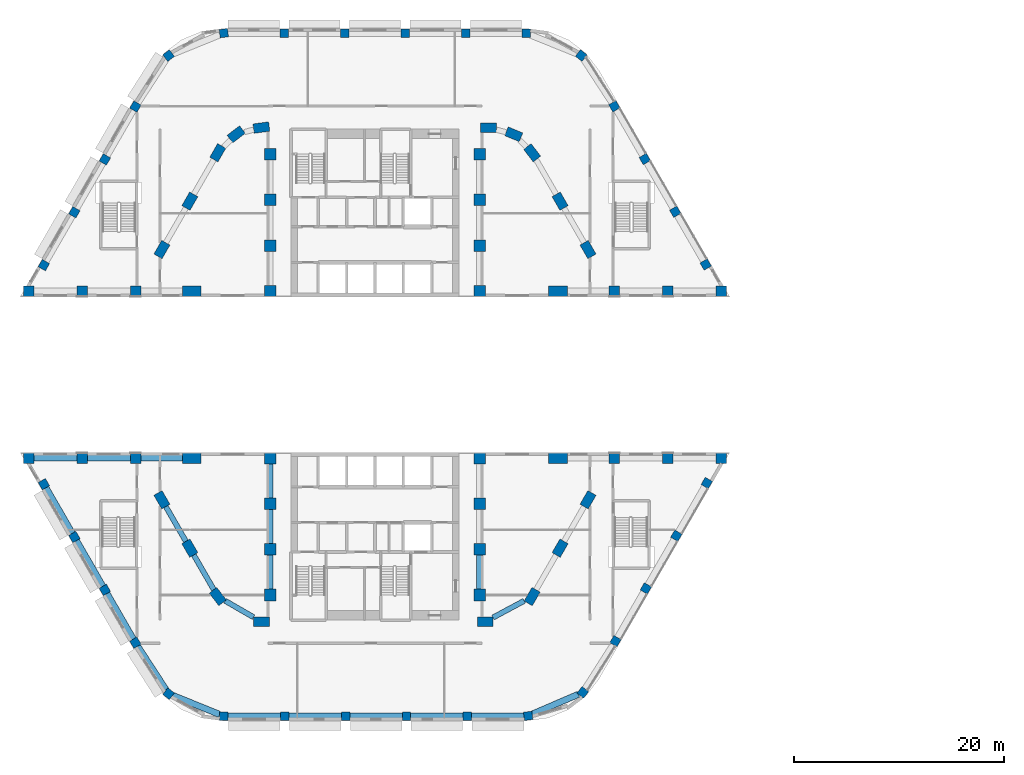
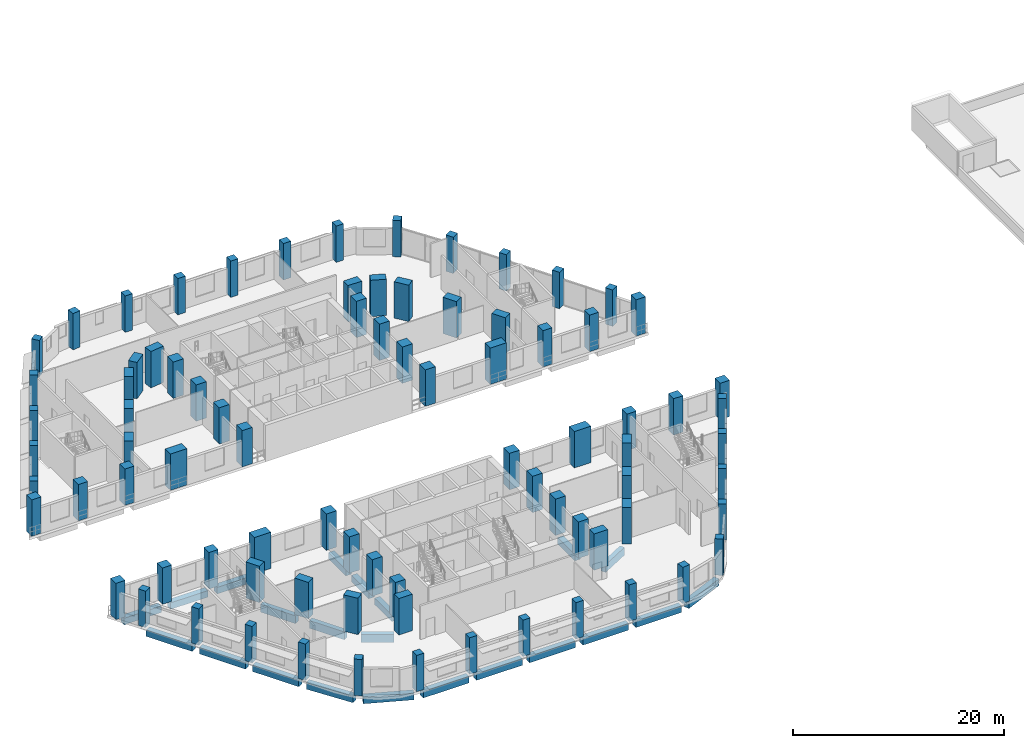
# One storey, part 1 of 33: 82 columns, 22 beams.
"""IFC4 building model written with IfcOpenShell, lengths in metres."""

from ifc_helpers import new_model, si_unit, direction, frame, origin, origin_2d, place, context, subcontext, project, spatial, rectangle, extrude, material, material_profile, profile_set, type_object, element, save


model = new_model("IFC4")

# Units and contexts
model_context = context("Model", 3, precision=1e-05, world=origin(), true_north=direction((0.0, 1.0)))
body_context = subcontext(model_context, "Body", "Model", "MODEL_VIEW")
ifc_project = project(units=[si_unit("LENGTHUNIT", "METRE"), si_unit("AREAUNIT", "SQUARE_METRE"), si_unit("VOLUMEUNIT", "CUBIC_METRE"), si_unit("PLANEANGLEUNIT", "RADIAN"), si_unit("MASSUNIT", "GRAM", prefix="KILO")], contexts=[model_context])

# Site, building, storey
site_placement = place(None, origin())
site = spatial("IfcSite", under=ifc_project, at=site_placement, CompositionType="ELEMENT")
building_placement = place(site_placement, origin())
building = spatial("IfcBuilding", under=site, at=building_placement, Name="Nakaniwa Court", CompositionType="ELEMENT")
storey_placement = place(building_placement, frame((0.0, 0.0, 19.800048828125)))
storey = spatial("IfcBuildingStorey", under=building, at=storey_placement, Name="L04", CompositionType="ELEMENT", Elevation=19.800048828125)

# Columns
ifc_material = material(Name="Concrete C100/115", Category="concrete")
ifc_material_profile_1 = material_profile(ifc_material, rectangle(XDim=1.0, YDim=1.0, at=origin_2d()), Name="Concrete C100/115 RC 1000x1000 portal edge column")
ifc_profile_set_1 = profile_set([ifc_material_profile_1], Name="Concrete C100/115")
column_type_1 = type_object("IfcColumnType", Name="Concrete C100/115 RC 1000x1000 portal edge column", PredefinedType="COLUMN", material=ifc_profile_set_1)
for number, where, z_axis, x_axis, name in (
    (1, (102.822998046875, 87.949951171875, 0.0), (0.0, 0.0, 1.0), (1.0, 0.0, 0.0), "COLUMN CP-03"),
    (2, (102.822998046875, 72.050048828125, 0.0), (0.0, 0.0, 1.0), (1.0, 0.0, 0.0), "COLUMN CP-04"),
    (3, (107.908935546875, 87.949951171875, 0.0), (0.0, 0.0, 1.0), (1.0, 0.0, 0.0), "COLUMN CP-05"),
    (4, (107.908935546875, 72.050048828125, 0.0), (0.0, 0.0, 1.0), (1.0, 0.0, 0.0), "COLUMN CP-06"),
    (5, (112.99609375, 87.949951171875, 0.0), (0.0, 0.0, 1.0), (1.0, 0.0, 0.0), "COLUMN CP-07"),
    (6, (112.99609375, 72.050048828125, 0.0), (0.0, 0.0, 1.0), (1.0, 0.0, 0.0), "COLUMN CP-08"),
    (7, (57.177001953125, 87.949951171875, 0.0), (0.0, 0.0, 1.0), (1.0, 0.0, 0.0), "COLUMN CP-11"),
    (8, (57.177001953125, 72.050048828125, 0.0), (0.0, 0.0, 1.0), (1.0, 0.0, 0.0), "COLUMN CP-12"),
    (9, (52.091064453125, 87.949951171875, 0.0), (0.0, 0.0, 1.0), (1.0, 0.0, 0.0), "COLUMN CP-13"),
    (10, (52.091064453125, 72.050048828125, 0.0), (0.0, 0.0, 1.0), (1.0, 0.0, 0.0), "COLUMN CP-14"),
    (11, (47.00390625, 87.949951171875, 0.0), (0.0, 0.0, 1.0), (1.0, 0.0, 0.0), "COLUMN CP-15"),
    (12, (47.00390625, 72.050048828125, 0.0), (0.0, 0.0, 1.0), (1.0, 0.0, 0.0), "COLUMN CP-16"),
):
    element("IfcColumn", number, at=place(storey_placement, frame(where, z_axis=z_axis, x_axis=x_axis)), inside=storey, type_object=column_type_1, Name=name, PredefinedType="COLUMN", context=body_context, shape_type="SweptSolid", body=[
        extrude(rectangle(XDim=1.0, YDim=1.0, at=origin_2d()), origin(), (0.0, 0.0, 1.0), 4.199951171875),
    ])
ifc_material_profile_2 = material_profile(ifc_material, rectangle(XDim=1.10009765625, YDim=1.10009765625, at=origin_2d()), Name="Concrete C100/115 RC 1100x1100 spine column")
ifc_profile_set_2 = profile_set([ifc_material_profile_2], Name="Concrete C100/115")
column_type_2 = type_object("IfcColumnType", Name="Concrete C100/115 RC 1100x1100 spine column", PredefinedType="COLUMN", material=ifc_profile_set_2)
for number, where, z_axis, x_axis, name in (
    (13, (90.0, 59.0, 0.0), (0.0, 0.0, 1.0), (0.0, 1.0, 0.0), "COLUMN CS-01"),
    (14, (90.0, 63.35009765625, 0.0), (0.0, 0.0, 1.0), (0.0, 1.0, 0.0), "COLUMN CS-02"),
    (15, (90.0, 67.699951171875, 0.0), (0.0, 0.0, 1.0), (0.0, 1.0, 0.0), "COLUMN CS-03"),
    (16, (90.0, 72.050048828125, 0.0), (0.0, 0.0, 1.0), (0.0, 1.0, 0.0), "COLUMN CS-04"),
    (17, (90.0, 87.949951171875, 0.0), (0.0, 0.0, 1.0), (0.0, 1.0, 0.0), "COLUMN CS-07"),
    (18, (90.0, 92.300048828125, 0.0), (0.0, 0.0, 1.0), (0.0, 1.0, 0.0), "COLUMN CS-08"),
    (19, (90.0, 96.64990234375, 0.0), (0.0, 0.0, 1.0), (0.0, 1.0, 0.0), "COLUMN CS-09"),
    (20, (90.0, 101.0, 0.0), (0.0, 0.0, 1.0), (0.0, 1.0, 0.0), "COLUMN CS-10"),
    (21, (70.0, 101.0, 0.0), (0.0, 0.0, 1.0), (0.0, -1.0, 0.0), "COLUMN CS-11"),
    (22, (70.0, 96.64990234375, 0.0), (0.0, 0.0, 1.0), (0.0, -1.0, 0.0), "COLUMN CS-12"),
    (23, (70.0, 92.300048828125, 0.0), (0.0, 0.0, 1.0), (0.0, -1.0, 0.0), "COLUMN CS-13"),
    (24, (70.0, 87.949951171875, 0.0), (0.0, 0.0, 1.0), (0.0, -1.0, 0.0), "COLUMN CS-14"),
    (25, (70.0, 72.050048828125, 0.0), (0.0, 0.0, 1.0), (0.0, -1.0, 0.0), "COLUMN CS-17"),
    (26, (70.0, 67.699951171875, 0.0), (0.0, 0.0, 1.0), (0.0, -1.0, 0.0), "COLUMN CS-18"),
    (27, (70.0, 63.35009765625, 0.0), (0.0, 0.0, 1.0), (0.0, -1.0, 0.0), "COLUMN CS-19"),
    (28, (70.0, 59.0, 0.0), (0.0, 0.0, 1.0), (0.0, -1.0, 0.0), "COLUMN CS-20"),
):
    element("IfcColumn", number, at=place(storey_placement, frame(where, z_axis=z_axis, x_axis=x_axis)), inside=storey, type_object=column_type_2, Name=name, PredefinedType="COLUMN", context=body_context, shape_type="SweptSolid", body=[
        extrude(rectangle(XDim=1.10009765625, YDim=1.10009765625, at=origin_2d()), origin(), (0.0, 0.0, 1.0), 4.199951171875),
    ])
ifc_material_profile_3 = material_profile(ifc_material, rectangle(XDim=1.5, YDim=0.89990234375, at=origin_2d()), Name="Concrete C100/115 RC 1500x900 perimeter column")
ifc_profile_set_3 = profile_set([ifc_material_profile_3], Name="Concrete C100/115")
column_type_3 = type_object("IfcColumnType", Name="Concrete C100/115 RC 1500x900 perimeter column", PredefinedType="COLUMN", material=ifc_profile_set_3)
for number, where, z_axis, x_axis, name in (
    (29, (69.17529296875, 103.550048828125, 0.0), (0.0, 0.0, 1.0), (-0.991442583111, -0.130543496177, 0.0), "COLUMN CO-01"),
    (30, (66.772705078125, 102.91015625, 0.0), (0.0, 0.0, 1.0), (-0.793363965062, -0.608747582288, 0.0), "COLUMN CO-02"),
    (31, (65.017578125, 101.1494140625, 0.0), (0.0, 0.0, 1.0), (-0.5, -0.866025403784, 0.0), "COLUMN CO-03"),
    (32, (62.3544921875, 96.537109375, 0.0), (0.0, 0.0, 1.0), (-0.5, -0.866025403784, 0.0), "COLUMN CO-04"),
    (33, (59.691650390625, 91.9248046875, 0.0), (0.0, 0.0, 1.0), (-0.5, -0.866025403784, 0.0), "COLUMN CO-05"),
    (34, (59.691650390625, 68.0751953125, 0.0), (0.0, 0.0, 1.0), (0.5, -0.866025403784, 0.0), "COLUMN CO-14"),
    (35, (62.3544921875, 63.462890625, 0.0), (0.0, 0.0, 1.0), (0.5, -0.866025403784, 0.0), "COLUMN CO-15"),
    (36, (65.017578125, 58.8505859375, 0.0), (0.0, 0.0, 1.0), (0.608761429009, -0.793353340291, 0.0), "COLUMN CO-16"),
    (37, (69.17529296875, 56.449951171875, 0.0), (0.0, 0.0, 1.0), (1.0, 0.0, 0.0), "COLUMN CO-17"),
    (38, (90.507080078125, 56.449951171875, 0.0), (0.0, 0.0, 1.0), (1.0, 0.0, 0.0), "COLUMN CO-21"),
    (39, (94.982421875, 58.8505859375, 0.0), (0.0, 0.0, 1.0), (0.5, 0.866025403784, 0.0), "COLUMN CO-22"),
    (40, (97.6455078125, 63.462890625, 0.0), (0.0, 0.0, 1.0), (0.5, 0.866025403784, 0.0), "COLUMN CO-23"),
    (41, (100.308349609375, 68.0751953125, 0.0), (0.0, 0.0, 1.0), (0.5, 0.866025403784, 0.0), "COLUMN CO-24"),
    (42, (100.308349609375, 91.9248046875, 0.0), (0.0, 0.0, 1.0), (-0.5, 0.866025403784, 0.0), "COLUMN CO-33"),
    (43, (97.6455078125, 96.537109375, 0.0), (0.0, 0.0, 1.0), (-0.5, 0.866025403784, 0.0), "COLUMN CO-34"),
    (44, (94.982421875, 101.1494140625, 0.0), (0.0, 0.0, 1.0), (-0.608761429009, 0.793353340291, 0.0), "COLUMN CO-35"),
    (45, (93.227294921875, 102.91015625, 0.0), (0.0, 0.0, 1.0), (-0.923879532511, 0.382683432365, 0.0), "COLUMN CO-36"),
    (46, (90.82470703125, 103.550048828125, 0.0), (0.0, 0.0, 1.0), (-1.0, 0.0, 0.0), "COLUMN CO-37"),
):
    element("IfcColumn", number, at=place(storey_placement, frame(where, z_axis=z_axis, x_axis=x_axis)), inside=storey, type_object=column_type_3, Name=name, PredefinedType="COLUMN", context=body_context, shape_type="SweptSolid", body=[
        extrude(rectangle(XDim=1.5, YDim=0.89990234375, at=origin_2d()), origin(), (0.0, 0.0, 1.0), 4.199951171875),
    ])
ifc_material_profile_4 = material_profile(ifc_material, rectangle(XDim=1.800048828125, YDim=1.0, at=origin_2d()), Name="Concrete C100/115 RC 1800x1000 portal edge column")
ifc_profile_set_4 = profile_set([ifc_material_profile_4], Name="Concrete C100/115")
column_type_4 = type_object("IfcColumnType", Name="Concrete C100/115 RC 1800x1000 portal edge column", PredefinedType="COLUMN", material=ifc_profile_set_4)
for number, where, z_axis, x_axis, name in (
    (47, (97.4580078125, 87.949951171875, 0.0), (0.0, 0.0, 1.0), (1.0, 0.0, 0.0), "COLUMN CP-01"),
    (48, (97.4580078125, 72.050048828125, 0.0), (0.0, 0.0, 1.0), (1.0, 0.0, 0.0), "COLUMN CP-02"),
    (49, (62.5419921875, 87.949951171875, 0.0), (0.0, 0.0, 1.0), (1.0, 0.0, 0.0), "COLUMN CP-09"),
    (50, (62.5419921875, 72.050048828125, 0.0), (0.0, 0.0, 1.0), (1.0, 0.0, 0.0), "COLUMN CP-10"),
):
    element("IfcColumn", number, at=place(storey_placement, frame(where, z_axis=z_axis, x_axis=x_axis)), inside=storey, type_object=column_type_4, Name=name, PredefinedType="COLUMN", context=body_context, shape_type="SweptSolid", body=[
        extrude(rectangle(XDim=1.800048828125, YDim=1.0, at=origin_2d()), origin(), (0.0, 0.0, 1.0), 4.199951171875),
    ])
ifc_material_profile_5 = material_profile(ifc_material, rectangle(XDim=0.800048828125, YDim=0.800048828125, at=origin_2d()), Name="Concrete C100/115 RC 800x800 podium skirt column")
ifc_profile_set_5 = profile_set([ifc_material_profile_5], Name="Concrete C100/115")
column_type_5 = type_object("IfcColumnType", Name="Concrete C100/115 RC 800x800 podium skirt column", PredefinedType="COLUMN", material=ifc_profile_set_5)
for number, where, z_axis, x_axis, name in (
    (51, (65.595703125, 112.550048828125, 0.0), (0.0, 0.0, 1.0), (-0.991444861374, -0.13052619222, 0.0), "COLUMN CK-01"),
    (52, (60.32763671875, 110.41064453125, 0.0), (0.0, 0.0, 1.0), (-0.793353340291, -0.608761429009, 0.0), "COLUMN CK-02"),
    (53, (57.165771484375, 105.550048828125, 0.0), (0.0, 0.0, 1.0), (-0.5, -0.866025403784, 0.0), "COLUMN CK-03"),
    (54, (54.25732421875, 100.5126953125, 0.0), (0.0, 0.0, 1.0), (-0.5, -0.866025403784, 0.0), "COLUMN CK-04"),
    (55, (51.34912109375, 95.47509765625, 0.0), (0.0, 0.0, 1.0), (-0.5, -0.866025403784, 0.0), "COLUMN CK-05"),
    (56, (48.440673828125, 90.437744140625, 0.0), (0.0, 0.0, 1.0), (-0.5, -0.866025403784, 0.0), "COLUMN CK-06"),
    (57, (48.440673828125, 69.562255859375, 0.0), (0.0, 0.0, 1.0), (0.5, -0.866025403784, 0.0), "COLUMN CK-10"),
    (58, (51.34912109375, 64.52490234375, 0.0), (0.0, 0.0, 1.0), (0.5, -0.866025403784, 0.0), "COLUMN CK-11"),
    (59, (54.25732421875, 59.4873046875, 0.0), (0.0, 0.0, 1.0), (0.5, -0.866025403784, 0.0), "COLUMN CK-12"),
    (60, (57.165771484375, 54.449951171875, 0.0), (0.0, 0.0, 1.0), (0.5, -0.866025403784, 0.0), "COLUMN CK-13"),
    (61, (60.32763671875, 49.58935546875, 0.0), (0.0, 0.0, 1.0), (0.793353340291, -0.608761429009, 0.0), "COLUMN CK-14"),
    (62, (65.595703125, 47.449951171875, 0.0), (0.0, 0.0, 1.0), (1.0, 0.0, 0.0), "COLUMN CK-15"),
    (63, (71.39794921875, 47.449951171875, 0.0), (0.0, 0.0, 1.0), (1.0, 0.0, 0.0), "COLUMN CK-16"),
    (64, (77.2001953125, 47.449951171875, 0.0), (0.0, 0.0, 1.0), (1.0, 0.0, 0.0), "COLUMN CK-17"),
    (65, (83.00244140625, 47.449951171875, 0.0), (0.0, 0.0, 1.0), (1.0, 0.0, 0.0), "COLUMN CK-18"),
    (66, (88.8046875, 47.449951171875, 0.0), (0.0, 0.0, 1.0), (1.0, 0.0, 0.0), "COLUMN CK-19"),
    (67, (94.605224609375, 47.4765625, 0.0), (0.0, 0.0, 1.0), (0.991444861374, 0.13052619222, 0.0), "COLUMN CK-20"),
    (68, (99.8095703125, 49.716064453125, 0.0), (0.0, 0.0, 1.0), (0.608761429009, 0.793353340291, 0.0), "COLUMN CK-21"),
    (69, (102.921142578125, 54.600341796875, 0.0), (0.0, 0.0, 1.0), (0.5, 0.866025403784, 0.0), "COLUMN CK-22"),
    (70, (105.822265625, 59.62548828125, 0.0), (0.0, 0.0, 1.0), (0.5, 0.866025403784, 0.0), "COLUMN CK-23"),
    (71, (108.723388671875, 64.650390625, 0.0), (0.0, 0.0, 1.0), (0.5, 0.866025403784, 0.0), "COLUMN CK-24"),
    (72, (111.62451171875, 69.67529296875, 0.0), (0.0, 0.0, 1.0), (0.5, 0.866025403784, 0.0), "COLUMN CK-25"),
    (73, (111.523193359375, 90.50048828125, 0.0), (0.0, 0.0, 1.0), (-0.5, 0.866025403784, 0.0), "COLUMN CK-29"),
    (74, (108.6220703125, 95.525390625, 0.0), (0.0, 0.0, 1.0), (-0.5, 0.866025403784, 0.0), "COLUMN CK-30"),
    (75, (105.720703125, 100.55029296875, 0.0), (0.0, 0.0, 1.0), (-0.5, 0.866025403784, 0.0), "COLUMN CK-31"),
    (76, (102.819580078125, 105.5751953125, 0.0), (0.0, 0.0, 1.0), (-0.5, 0.866025403784, 0.0), "COLUMN CK-32"),
    (77, (99.660888671875, 110.41943359375, 0.0), (0.0, 0.0, 1.0), (-0.793353340291, 0.608761429009, 0.0), "COLUMN CK-33"),
    (78, (94.404296875, 112.550048828125, 0.0), (0.0, 0.0, 1.0), (-1.0, 0.0, 0.0), "COLUMN CK-34"),
    (79, (88.642578125, 112.550048828125, 0.0), (0.0, 0.0, 1.0), (-1.0, 0.0, 0.0), "COLUMN CK-35"),
    (80, (82.880859375, 112.550048828125, 0.0), (0.0, 0.0, 1.0), (-1.0, 0.0, 0.0), "COLUMN CK-36"),
    (81, (77.119140625, 112.550048828125, 0.0), (0.0, 0.0, 1.0), (-1.0, 0.0, 0.0), "COLUMN CK-37"),
    (82, (71.357421875, 112.550048828125, 0.0), (0.0, 0.0, 1.0), (-1.0, 0.0, 0.0), "COLUMN CK-38"),
):
    element("IfcColumn", number, at=place(storey_placement, frame(where, z_axis=z_axis, x_axis=x_axis)), inside=storey, type_object=column_type_5, Name=name, PredefinedType="COLUMN", context=body_context, shape_type="SweptSolid", body=[
        extrude(rectangle(XDim=0.800048828125, YDim=0.800048828125, at=origin_2d()), origin(), (0.0, 0.0, 1.0), 4.199951171875),
    ])

# Beams
ifc_material_profile_6 = material_profile(ifc_material, rectangle(XDim=0.5, YDim=0.89990234375, at=origin_2d()), Name="Concrete C100/115 RC 500x900 spandrel beam")
ifc_profile_set_6 = profile_set([ifc_material_profile_6], Name="Concrete C100/115")
beam_type_1 = type_object("IfcBeamType", Name="Concrete C100/115 RC 500x900 spandrel beam", PredefinedType="BEAM", material=ifc_profile_set_6)
beam_1_placement = place(storey_placement, frame((60.066650390625, 67.42578125, -0.75), z_axis=(0.499961815444, -0.866047448526, 0.0), x_axis=(0.866047448526, 0.499961815444, 0.0)))
element("IfcBeam", 83, at=beam_1_placement, inside=storey, type_object=beam_type_1, Name="SPANDREL BEAM", PredefinedType="BEAM", context=body_context, shape_type="SweptSolid", body=[
    extrude(rectangle(XDim=0.5, YDim=0.89990234375, at=origin_2d()), origin(), (0.0, 0.0, 1.0), 3.825927734375),
])
beam_2_placement = place(storey_placement, frame((62.7294921875, 62.8134765625, -0.75), z_axis=(0.500023067617, -0.86601208528, 0.0), x_axis=(0.86601208528, 0.500023067617, 0.0)))
element("IfcBeam", 84, at=beam_2_placement, inside=storey, type_object=beam_type_1, Name="SPANDREL BEAM", PredefinedType="BEAM", context=body_context, shape_type="SweptSolid", body=[
    extrude(rectangle(XDim=0.5, YDim=0.89990234375, at=origin_2d()), origin(), (0.0, 0.0, 1.0), 3.819580078125),
])
beam_3_placement = place(storey_placement, frame((65.720458984375, 58.444580078125, -0.75), z_axis=(0.866041096587, -0.499972818284, 0.0), x_axis=(0.499972818284, 0.866041096587, 0.0)))
element("IfcBeam", 85, at=beam_3_placement, inside=storey, type_object=beam_type_1, Name="SPANDREL BEAM", PredefinedType="BEAM", context=body_context, shape_type="SweptSolid", body=[
    extrude(rectangle(XDim=0.5, YDim=0.89990234375, at=origin_2d()), origin(), (0.0, 0.0, 1.0), 3.123291015625),
])
beam_4_placement = place(storey_placement, frame((91.257080078125, 56.852294921875, -0.75), z_axis=(0.881234537383, 0.472679267711, 0.0), x_axis=(-0.472679267711, 0.881234537383, 0.0)))
element("IfcBeam", 86, at=beam_4_placement, inside=storey, type_object=beam_type_1, Name="SPANDREL BEAM", PredefinedType="BEAM", context=body_context, shape_type="SweptSolid", body=[
    extrude(rectangle(XDim=0.5, YDim=0.89990234375, at=origin_2d()), origin(), (0.0, 0.0, 1.0), 3.373291015625),
])
ifc_material_profile_7 = material_profile(ifc_material, rectangle(XDim=0.60009765625, YDim=0.75, at=origin_2d()), Name="Concrete C100/115 RC 600x750 ring beam")
ifc_profile_set_7 = profile_set([ifc_material_profile_7], Name="Concrete C100/115")
beam_type_2 = type_object("IfcBeamType", Name="Concrete C100/115 RC 600x750 ring beam", PredefinedType="BEAM", material=ifc_profile_set_7)
for number, where, z_axis, x_axis, name in (
    (87, (90.0, 59.550048828125, -0.675048828125), (0.0, 1.0, 0.0), (-1.0, 0.0, 0.0), "RING BEAM"),
    (88, (70.0, 71.5, -0.675048828125), (0.0, -1.0, 0.0), (1.0, 0.0, 0.0), "RING BEAM"),
    (89, (70.0, 67.14990234375, -0.675048828125), (0.0, -1.0, 0.0), (1.0, 0.0, 0.0), "RING BEAM"),
    (90, (70.0, 62.800048828125, -0.675048828125), (0.0, -1.0, 0.0), (1.0, 0.0, 0.0), "RING BEAM"),
):
    element("IfcBeam", number, at=place(storey_placement, frame(where, z_axis=z_axis, x_axis=x_axis)), inside=storey, type_object=beam_type_2, Name=name, PredefinedType="BEAM", context=body_context, shape_type="SweptSolid", body=[
        extrude(rectangle(XDim=0.60009765625, YDim=0.75, at=origin_2d()), origin(), (0.0, 0.0, 1.0), 3.25),
    ])
for number, where, z_axis, x_axis, name in (
    (91, (48.640625, 69.2158203125, -0.675048828125), (0.500017322015, -0.866015402684, 0.0), (0.866015402684, 0.500017322015, 0.0), "RING BEAM"),
    (92, (51.549072265625, 64.178466796875, -0.675048828125), (0.499980823911, -0.866036474822, 0.0), (0.866036474822, 0.499980823911, 0.0), "RING BEAM"),
    (93, (54.45751953125, 59.14111328125, -0.675048828125), (0.499980823911, -0.866036474822, 0.0), (0.866036474822, 0.499980823911, 0.0), "RING BEAM"),
):
    element("IfcBeam", number, at=place(storey_placement, frame(where, z_axis=z_axis, x_axis=x_axis)), inside=storey, type_object=beam_type_2, Name=name, PredefinedType="BEAM", context=body_context, shape_type="SweptSolid", body=[
        extrude(rectangle(XDim=0.60009765625, YDim=0.75, at=origin_2d()), origin(), (0.0, 0.0, 1.0), 5.016845703125),
    ])
beam_5_placement = place(storey_placement, frame((57.38427734375, 54.114013671875, -0.675048828125), z_axis=(0.545297150408, -0.838242815512, 0.0), x_axis=(0.838242815512, 0.545297150408, 0.0)))
element("IfcBeam", 94, at=beam_5_placement, inside=storey, type_object=beam_type_2, Name="RING BEAM", PredefinedType="BEAM", context=body_context, shape_type="SweptSolid", body=[
    extrude(rectangle(XDim=0.60009765625, YDim=0.75, at=origin_2d()), origin(), (0.0, 0.0, 1.0), 4.9736328125),
])
beam_6_placement = place(storey_placement, frame((60.712158203125, 49.43310546875, -0.675048828125), z_axis=(0.926515496979, -0.376256606397, 0.0), x_axis=(0.376256606397, 0.926515496979, 0.0)))
element("IfcBeam", 95, at=beam_6_placement, inside=storey, type_object=beam_type_2, Name="RING BEAM", PredefinedType="BEAM", context=body_context, shape_type="SweptSolid", body=[
    extrude(rectangle(XDim=0.60009765625, YDim=0.75, at=origin_2d()), origin(), (0.0, 0.0, 1.0), 4.83935546875),
])
beam_7_placement = place(storey_placement, frame((65.99560546875, 47.449951171875, -0.675048828125), z_axis=(1.0, 0.0, 0.0), x_axis=(0.0, 1.0, 0.0)))
element("IfcBeam", 96, at=beam_7_placement, inside=storey, type_object=beam_type_2, Name="RING BEAM", PredefinedType="BEAM", context=body_context, shape_type="SweptSolid", body=[
    extrude(rectangle(XDim=0.60009765625, YDim=0.75, at=origin_2d()), origin(), (0.0, 0.0, 1.0), 5.00244140625),
])
for number, where, z_axis, x_axis, name in (
    (97, (71.798095703125, 47.449951171875, -0.675048828125), (1.0, 0.0, 0.0), (0.0, 1.0, 0.0), "RING BEAM"),
    (98, (77.600341796875, 47.449951171875, -0.675048828125), (1.0, 0.0, 0.0), (0.0, 1.0, 0.0), "RING BEAM"),
    (99, (83.402587890625, 47.449951171875, -0.675048828125), (1.0, 0.0, 0.0), (0.0, 1.0, 0.0), "RING BEAM"),
):
    element("IfcBeam", number, at=place(storey_placement, frame(where, z_axis=z_axis, x_axis=x_axis)), inside=storey, type_object=beam_type_2, Name=name, PredefinedType="BEAM", context=body_context, shape_type="SweptSolid", body=[
        extrude(rectangle(XDim=0.60009765625, YDim=0.75, at=origin_2d()), origin(), (0.0, 0.0, 1.0), 5.002197265625),
    ])
beam_8_placement = place(storey_placement, frame((89.204833984375, 47.451904296875, -0.675048828125), z_axis=(0.999989678664, 0.004543409063, 0.0), x_axis=(-0.004543409063, 0.999989678664, 0.0)))
element("IfcBeam", 100, at=beam_8_placement, inside=storey, type_object=beam_type_2, Name="RING BEAM", PredefinedType="BEAM", context=body_context, shape_type="SweptSolid", body=[
    extrude(rectangle(XDim=0.60009765625, YDim=0.75, at=origin_2d()), origin(), (0.0, 0.0, 1.0), 4.997314453125),
])
beam_9_placement = place(storey_placement, frame((94.987060546875, 47.640869140625, -0.675048828125), z_axis=(0.918566909696, 0.395265521406, 0.0), x_axis=(-0.395265521406, 0.918566909696, 0.0)))
element("IfcBeam", 101, at=beam_9_placement, inside=storey, type_object=beam_type_2, Name="RING BEAM", PredefinedType="BEAM", context=body_context, shape_type="SweptSolid", body=[
    extrude(rectangle(XDim=0.60009765625, YDim=0.75, at=origin_2d()), origin(), (0.0, 0.0, 1.0), 4.791748046875),
])
beam_10_placement = place(storey_placement, frame((47.50390625, 72.050048828125, -0.675048828125), z_axis=(1.0, 0.0, 0.0), x_axis=(0.0, 1.0, 0.0)))
element("IfcBeam", 102, at=beam_10_placement, inside=storey, type_object=beam_type_2, Name="RING BEAM", PredefinedType="BEAM", context=body_context, shape_type="SweptSolid", body=[
    extrude(rectangle(XDim=0.60009765625, YDim=0.75, at=origin_2d()), origin(), (0.0, 0.0, 1.0), 4.087158203125),
])
beam_11_placement = place(storey_placement, frame((52.591064453125, 72.050048828125, -0.675048828125), z_axis=(1.0, 0.0, 0.0), x_axis=(0.0, 1.0, 0.0)))
element("IfcBeam", 103, at=beam_11_placement, inside=storey, type_object=beam_type_2, Name="RING BEAM", PredefinedType="BEAM", context=body_context, shape_type="SweptSolid", body=[
    extrude(rectangle(XDim=0.60009765625, YDim=0.75, at=origin_2d()), origin(), (0.0, 0.0, 1.0), 4.0859375),
])
beam_12_placement = place(storey_placement, frame((57.677001953125, 72.050048828125, -0.675048828125), z_axis=(1.0, 0.0, 0.0), x_axis=(0.0, 1.0, 0.0)))
element("IfcBeam", 104, at=beam_12_placement, inside=storey, type_object=beam_type_2, Name="RING BEAM", PredefinedType="BEAM", context=body_context, shape_type="SweptSolid", body=[
    extrude(rectangle(XDim=0.60009765625, YDim=0.75, at=origin_2d()), origin(), (0.0, 0.0, 1.0), 3.965087890625),
])

save(model, "model.ifc")
